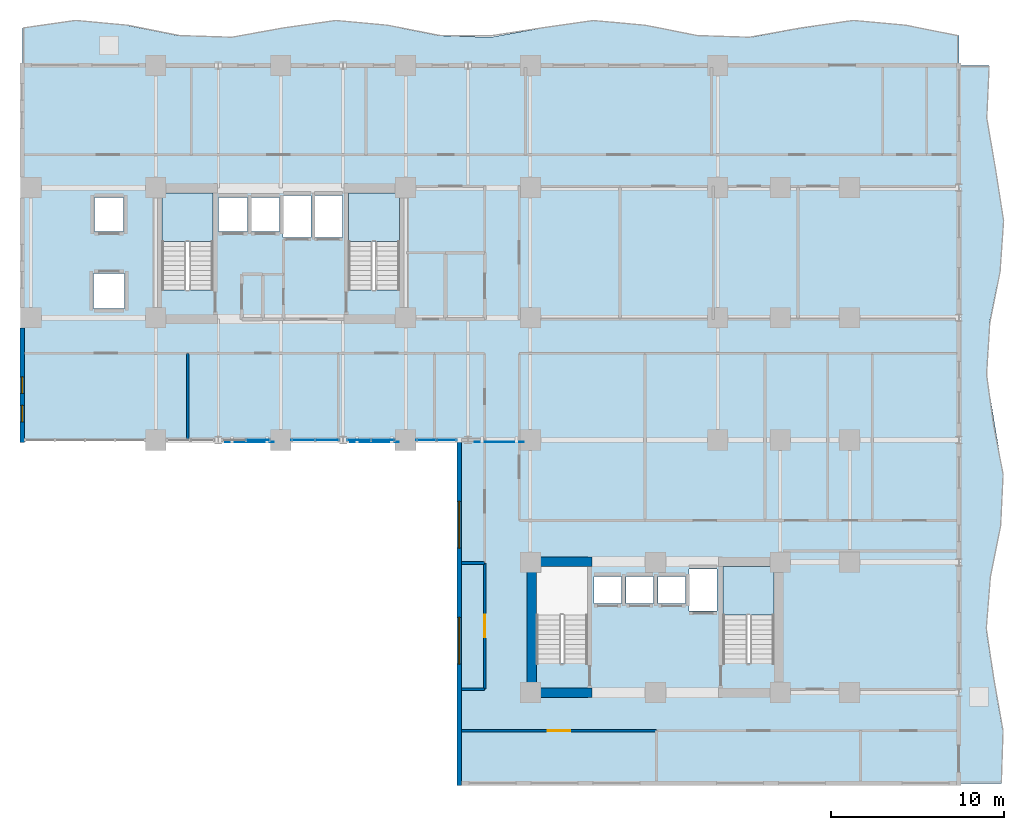
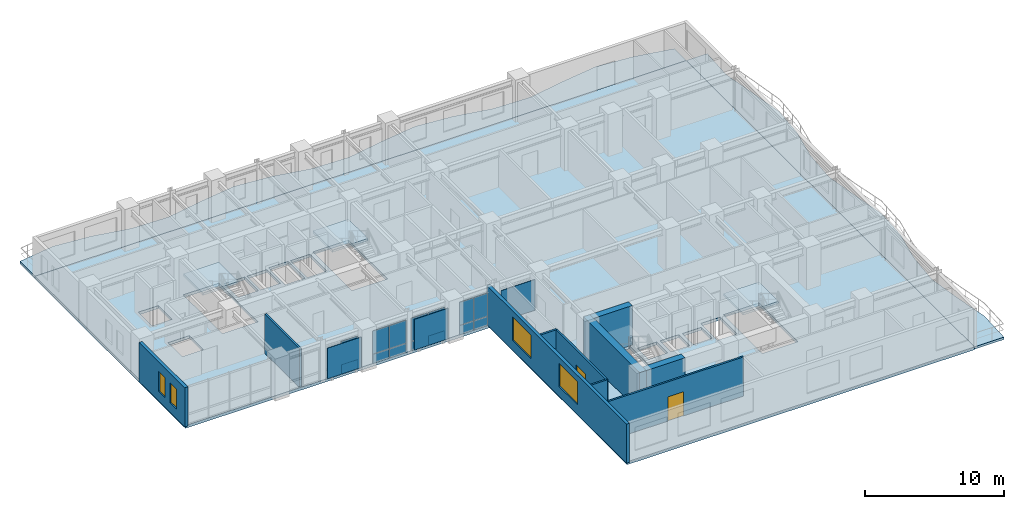
# One storey, part 7 of 16: 17 plates, 10 walls, 6 slabs, 4 windows, 2 doors, 6 openings, 7 elements without a shape of their own.
"""IFC4 building model written with IfcOpenShell, lengths in metres."""

import ifcopenshell
import ifcopenshell.guid

model = None  # the IFC model being written
_history = None  # IfcOwnerHistory: only IFC2X3 demands one
_inside = {}  # id of a spatial element -> (the spatial element, [elements in it])
_under = {}  # id of a project, library or spatial element -> (it, [spatial elements below it])
_declared = {}  # id of a project -> (the project, [libraries it declares])
_typed = {}  # id of a type object -> (the type object, [elements of that type])
_made_of = {}  # id of a material, layer set ... -> (it, [elements and type objects made of it])


def new_model(schema):
    """Start an empty IFC model of exactly this schema.

    Asked for "IFC4X3", IfcOpenShell would pick the latest addendum, in which some entities
    have other attributes; the version numbers below select the first issue.
    IFC2X3 requires an IfcOwnerHistory on every rooted entity: one is made here for all.
    """
    global model, _history
    if schema == "IFC4X3":
        model = ifcopenshell.file(schema_version=(4, 3, 0, 0))
    else:
        model = ifcopenshell.file(schema=schema)
    _inside.clear()
    _under.clear()
    _declared.clear()
    _typed.clear()
    _made_of.clear()
    _history = None
    if model.schema == "IFC2X3":
        org = make("IfcOrganization", Name="unknown")
        user = make(
            "IfcPersonAndOrganization",
            ThePerson=make("IfcPerson", FamilyName="unknown"),
            TheOrganization=org,
        )
        app = make(
            "IfcApplication",
            ApplicationDeveloper=org,
            Version="unknown",
            ApplicationFullName="unknown",
            ApplicationIdentifier="unknown",
        )
        _history = make(
            "IfcOwnerHistory",
            OwningUser=user,
            OwningApplication=app,
            ChangeAction="ADDED",
            CreationDate=0,
        )
    return model


def make(cls, **values):
    """One entity of the class cls with the attributes given. An attribute that is None is left unset."""
    return model.create_entity(
        cls, **{name: value for name, value in values.items() if value is not None}
    )


def rooted(cls, **values):
    """An entity with a GlobalId (a new one), such as an element, a storey or a relation."""
    return make(cls, GlobalId=ifcopenshell.guid.new(), OwnerHistory=_history, **values)


def si_unit(unit_type, name, prefix=None):
    """IfcSIUnit, for example si_unit("LENGTHUNIT", "METRE", prefix="MILLI")."""
    return make("IfcSIUnit", UnitType=unit_type, Prefix=prefix, Name=name)


def assignment(units):
    """IfcUnitAssignment: the units of a project."""
    return None if units is None else make("IfcUnitAssignment", Units=units)


def point(xyz):
    """IfcCartesianPoint."""
    return None if xyz is None else make("IfcCartesianPoint", Coordinates=xyz)


def direction(xyz):
    """IfcDirection."""
    return None if xyz is None else make("IfcDirection", DirectionRatios=xyz)


def frame(location, z_axis=None, x_axis=None):
    """IfcAxis2Placement3D, a coordinate frame: its origin and axes. An axis left out is left unset."""
    return make(
        "IfcAxis2Placement3D",
        Location=point(location),
        Axis=direction(z_axis),
        RefDirection=direction(x_axis),
    )


def frame_2d(location, x_axis=None):
    """IfcAxis2Placement2D, a coordinate frame in the plane: its origin and x axis."""
    return make(
        "IfcAxis2Placement2D", Location=point(location), RefDirection=direction(x_axis)
    )


def origin():
    """The frame at (0, 0, 0) with its axes left unset."""
    return frame((0.0, 0.0, 0.0))


def origin_2d():
    """The frame at (0, 0) in the plane with its x axis left unset."""
    return frame_2d((0.0, 0.0))


def place(relative_to, where):
    """IfcLocalPlacement: puts the frame where relative to a parent placement (None: the world)."""
    return make(
        "IfcLocalPlacement", PlacementRelTo=relative_to, RelativePlacement=where
    )


def context(
    kind, dimensions, precision=None, world=None, true_north=None, identifier=None
):
    """IfcGeometricRepresentationContext, for example the 3D "Model" context."""
    return make(
        "IfcGeometricRepresentationContext",
        ContextIdentifier=identifier,
        ContextType=kind,
        CoordinateSpaceDimension=dimensions,
        Precision=precision,
        WorldCoordinateSystem=world,
        TrueNorth=true_north,
    )


def subcontext(parent, identifier, kind, view, scale=None):
    """IfcGeometricRepresentationSubContext, for example "Body" below "Model"."""
    return make(
        "IfcGeometricRepresentationSubContext",
        ContextIdentifier=identifier,
        ContextType=kind,
        ParentContext=parent,
        TargetScale=scale,
        TargetView=view,
    )


def project(units=None, contexts=None):
    """IfcProject with its units and contexts."""
    return rooted(
        "IfcProject",
        Name="project",
        RepresentationContexts=contexts,
        UnitsInContext=assignment(units),
    )


def spatial(cls, under=None, at=None, **own):
    """A site, building, storey or space (cls), placed at a placement, below another one or the project."""
    s = rooted(cls, ObjectPlacement=at, **own)
    if under is not None:
        _under.setdefault(under.id(), (under, []))[1].append(s)
    return s


def polyline(points):
    """IfcPolyline through the points."""
    return make("IfcPolyline", Points=[point(p) for p in points])


def profile(cls, at=None, kind="AREA", **sizes):
    """A parametric profile (cls). Its sizes go by their IFC names, for example OverallWidth=200.0."""
    return make(cls, ProfileType=kind, Position=at, **sizes)


def rectangle(**sizes):
    """IfcRectangleProfileDef."""
    return profile("IfcRectangleProfileDef", **sizes)


def outline(outer, holes=None, kind="AREA"):
    """IfcArbitraryClosedProfileDef: a profile drawn as a closed curve; with holes, ...WithVoids."""
    if holes is None:
        return make("IfcArbitraryClosedProfileDef", ProfileType=kind, OuterCurve=outer)
    return make(
        "IfcArbitraryProfileDefWithVoids",
        ProfileType=kind,
        OuterCurve=outer,
        InnerCurves=holes,
    )


def extrude(swept, where, along, depth):
    """IfcExtrudedAreaSolid: the profile swept, set in the frame where, extruded along a direction by depth."""
    return make(
        "IfcExtrudedAreaSolid",
        SweptArea=swept,
        Position=where,
        ExtrudedDirection=direction(along),
        Depth=depth,
    )


def shape(context_of_items, identifier, shape_type, items):
    """IfcShapeRepresentation: the items that make up one representation, for example the "Body"."""
    return make(
        "IfcShapeRepresentation",
        ContextOfItems=context_of_items,
        RepresentationIdentifier=identifier,
        RepresentationType=shape_type,
        Items=items,
    )


def source(mapping_origin, context_of_items, identifier, shape_type, items):
    """IfcRepresentationMap: a shape defined once, which mapped items show again and again."""
    return make(
        "IfcRepresentationMap",
        MappingOrigin=mapping_origin,
        MappedRepresentation=shape(context_of_items, identifier, shape_type, items),
    )


def transform(
    local_origin,
    x_axis=None,
    y_axis=None,
    z_axis=None,
    scale=None,
    scale2=None,
    scale3=None,
    uniform=True,
):
    """IfcCartesianTransformationOperator3D, or its non-uniform kind. x_axis, y_axis, z_axis: its Axis1, 2, 3."""
    if uniform:
        return make(
            "IfcCartesianTransformationOperator3D",
            Axis1=direction(x_axis),
            Axis2=direction(y_axis),
            LocalOrigin=point(local_origin),
            Scale=scale,
            Axis3=direction(z_axis),
        )
    return make(
        "IfcCartesianTransformationOperator3DnonUniform",
        Axis1=direction(x_axis),
        Axis2=direction(y_axis),
        LocalOrigin=point(local_origin),
        Scale=scale,
        Axis3=direction(z_axis),
        Scale2=scale2,
        Scale3=scale3,
    )


def mapped(mapping_source, mapping_target):
    """IfcMappedItem: shows the shape of a source again, moved by a transform."""
    return make(
        "IfcMappedItem", MappingSource=mapping_source, MappingTarget=mapping_target
    )


def material(Name=None, Category=None):
    """IfcMaterial."""
    return make("IfcMaterial", Name=Name, Category=Category)


def layer(
    of_material, thickness, ventilated=None, Name=None, Category=None, Priority=None
):
    """IfcMaterialLayer: one layer of a wall or slab, of a material (None: an air gap)."""
    return make(
        "IfcMaterialLayer",
        Material=of_material,
        LayerThickness=thickness,
        IsVentilated=ventilated,
        Name=Name,
        Category=Category,
        Priority=Priority,
    )


def layer_set(layers, Name=None):
    """IfcMaterialLayerSet."""
    return make("IfcMaterialLayerSet", MaterialLayers=layers, LayerSetName=Name)


def made_of(thing, what):
    """Note that an element or type object is made of a material, layer set ...; save() writes the relation."""
    if what is not None:
        _made_of.setdefault(what.id(), (what, []))[1].append(thing)
    return thing


def type_object(cls, material=None, **own):
    """A type object (cls), such as IfcWallType, which elements share."""
    return made_of(rooted(cls, **own), material)


def element(
    cls,
    number,
    at=None,
    inside=None,
    cuts=None,
    type_object=None,
    material=None,
    context=None,
    identifier="Body",
    shape_type=None,
    held_by="IfcProductDefinitionShape",
    body=None,
    shapes=None,
    **own,
):
    """One element of the class cls, such as IfcWall. Its Tag is "e" and its number.

    at: its placement. inside: the storey or other place that contains it. cuts: it is an
    opening in that element (IfcRelVoidsElement). A single representation is given by context,
    identifier, shape_type and body (its items); several are given by shapes. held_by: the class
    of the entity that holds the representations. save() writes the other relations.
    """
    e = rooted(cls, Tag="e%d" % number, ObjectPlacement=at, **own)
    if body is not None:
        shapes = [shape(context, identifier, shape_type, body)]
    if shapes is not None:
        e.Representation = make(held_by, Representations=shapes)
    if inside is not None:
        _inside.setdefault(inside.id(), (inside, []))[1].append(e)
    if cuts is not None:
        rooted(
            "IfcRelVoidsElement", RelatingBuildingElement=cuts, RelatedOpeningElement=e
        )
    if type_object is not None:
        _typed.setdefault(type_object.id(), (type_object, []))[1].append(e)
    return made_of(e, material)


def fill(opening, filler):
    """IfcRelFillsElement: the door or window that sits in an opening."""
    return rooted(
        "IfcRelFillsElement",
        RelatingOpeningElement=opening,
        RelatedBuildingElement=filler,
    )


def aggregate(whole, parts):
    """IfcRelAggregates: a whole, such as a stair, and the parts it consists of."""
    return rooted("IfcRelAggregates", RelatingObject=whole, RelatedObjects=parts)


def save(model, path):
    """Write the relations noted so far, then the file.

    IfcRelAggregates (storeys below a building ...), IfcRelContainedInSpatialStructure (elements
    in a storey), IfcRelDefinesByType, IfcRelAssociatesMaterial and IfcRelDeclares: one each for
    every whole, place, type object, material and project.
    """
    for whole, parts in _under.values():
        aggregate(whole, parts)
    for where, things in _inside.values():
        rooted(
            "IfcRelContainedInSpatialStructure",
            RelatedElements=things,
            RelatingStructure=where,
        )
    for kind, things in _typed.values():
        rooted("IfcRelDefinesByType", RelatedObjects=things, RelatingType=kind)
    for what, things in _made_of.values():
        rooted("IfcRelAssociatesMaterial", RelatedObjects=things, RelatingMaterial=what)
    for by, libraries in _declared.values():
        rooted("IfcRelDeclares", RelatingContext=by, RelatedDefinitions=libraries)
    model.write(path)


model = new_model("IFC4")

# Units and contexts
model_context = context("Model", 3, precision=1e-05, world=origin(), true_north=direction((0.0, 1.0)))
body_context = subcontext(model_context, "Body", "Model", "MODEL_VIEW")
ifc_project = project(units=[si_unit("LENGTHUNIT", "METRE"), si_unit("AREAUNIT", "SQUARE_METRE"), si_unit("VOLUMEUNIT", "CUBIC_METRE"), si_unit("PLANEANGLEUNIT", "RADIAN"), si_unit("MASSUNIT", "GRAM", prefix="KILO")], contexts=[model_context])

# Site, building, storey
site_placement = place(None, origin())
site = spatial("IfcSite", under=ifc_project, at=site_placement, CompositionType="ELEMENT")
building_placement = place(site_placement, origin())
building = spatial("IfcBuilding", under=site, at=building_placement, Name="Kaliganga Portal Commons", CompositionType="ELEMENT")
storey_placement = place(building_placement, frame((0.0, 0.0, 82.300048828125)))
storey = spatial("IfcBuildingStorey", under=building, at=storey_placement, Name="L20", CompositionType="ELEMENT", Elevation=82.300048828125)

# Slabs
ifc_material_1 = material(Name="Concrete C40/50", Category="concrete")
ifc_layer_1 = layer(ifc_material_1, 0.2099609375)
ifc_layer_set_1 = layer_set([ifc_layer_1], Name="Concrete C40/50")
slab_type_1 = type_object("IfcSlabType", Name="SLB-BALC-210", PredefinedType="FLOOR", material=ifc_layer_set_1)
slab_1_placement = place(storey_placement, frame((0.0, 0.0, -0.2099609375)))
element("IfcSlab", 1, at=slab_1_placement, inside=storey, type_object=slab_type_1, Name="Scalloped Tree-Planter Balcony Slab L20 balc_north", PredefinedType="FLOOR", context=body_context, shape_type="SweptSolid", body=[
    extrude(outline(polyline([(60.699951171875, 43.199951171875), (60.699951171875, 44.916259765625), (57.699951171875, 45.517333984375), (54.699951171875, 45.793701171875), (51.699951171875, 45.36328125), (48.699951171875, 44.821044921875), (45.699951171875, 44.916259765625), (42.699951171875, 45.517333984375), (39.699951171875, 45.793701171875), (36.699951171875, 45.36328125), (33.699951171875, 44.821044921875), (30.699951171875, 44.916259765625), (27.699951171875, 45.517333984375), (24.699951171875, 45.793701171875), (21.699951171875, 45.36328125), (18.699951171875, 44.821044921875), (15.699951171875, 44.916259765625), (12.699951171875, 45.517333984375), (9.699951171875, 45.793701171875), (6.699951171875, 45.36328125), (6.699951171875, 43.199951171875), (60.699951171875, 43.199951171875)])), origin(), (0.0, 0.0, 1.0), 0.2099609375),
])
slab_2_placement = place(storey_placement, frame((0.0, 0.0, -0.2099609375)))
element("IfcSlab", 2, at=slab_2_placement, inside=storey, type_object=slab_type_1, Name="Scalloped Tree-Planter Balcony Slab L20 balc_east", PredefinedType="FLOOR", context=body_context, shape_type="SweptSolid", body=[
    extrude(outline(polyline([(60.699951171875, 1.800048828125), (63.1484375, 1.800048828125), (63.247802734375, 4.757080078125), (62.7197265625, 7.71435546875), (62.276123046875, 10.67138671875), (62.514892578125, 13.628662109375), (63.114013671875, 16.585693359375), (63.26611328125, 19.54296875), (62.76611328125, 22.5), (62.287841796875, 25.45703125), (62.476318359375, 28.414306640625), (63.0771484375, 31.371337890625), (63.28076171875, 34.32861328125), (62.8125, 37.28564453125), (62.3037109375, 40.242919921875), (62.43994140625, 43.199951171875), (60.699951171875, 43.199951171875), (60.699951171875, 1.800048828125)])), origin(), (0.0, 0.0, 1.0), 0.2099609375),
])

# Stair, slab
stair_type = type_object("IfcStairType", Name="ST-CORE-DOGLEG", PredefinedType="HALF_TURN_STAIR", material=ifc_material_1)
stair_1_placement = place(storey_placement, origin())
stair_1 = element("IfcStair", 3, at=stair_1_placement, inside=storey, type_object=stair_type, Name="L20 Protected Exit Stair ST-A1", PredefinedType="HALF_TURN_STAIR")
ifc_layer_2 = layer(ifc_material_1, 0.199951171875)
ifc_layer_set_2 = layer_set([ifc_layer_2], Name="Concrete C40/50")
slab_type_2 = type_object("IfcSlabType", Name="SLB-STAIR-LND", PredefinedType="LANDING", material=ifc_layer_set_2)
slab_3_placement = place(storey_placement, frame((0.0, 0.0, 1.64990234375)))
slab_3 = element("IfcSlab", 4, at=slab_3_placement, type_object=slab_type_2, Name="ST-A1 landing 1", PredefinedType="LANDING", context=body_context, shape_type="SweptSolid", body=[
    extrude(outline(polyline([(17.699951171875, 33.050048828125), (17.699951171875, 35.85009765625), (14.75, 35.85009765625), (14.75, 33.050048828125), (17.699951171875, 33.050048828125)])), origin(), (0.0, 0.0, 1.0), 0.199951171875),
])
aggregate(stair_1, [slab_3])

stair_2_placement = place(storey_placement, origin())
stair_2 = element("IfcStair", 5, at=stair_2_placement, inside=storey, type_object=stair_type, Name="L20 Protected Exit Stair ST-A2", PredefinedType="HALF_TURN_STAIR")
slab_4_placement = place(storey_placement, frame((0.0, 0.0, 1.64990234375)))
slab_4 = element("IfcSlab", 6, at=slab_4_placement, type_object=slab_type_2, Name="ST-A2 landing 1", PredefinedType="LANDING", context=body_context, shape_type="SweptSolid", body=[
    extrude(outline(polyline([(28.449951171875, 33.050048828125), (28.449951171875, 35.85009765625), (25.5, 35.85009765625), (25.5, 33.050048828125), (28.449951171875, 33.050048828125)])), origin(), (0.0, 0.0, 1.0), 0.199951171875),
])
aggregate(stair_2, [slab_4])

stair_3_placement = place(storey_placement, origin())
stair_3 = element("IfcStair", 7, at=stair_3_placement, inside=storey, type_object=stair_type, Name="L20 Protected Exit Stair ST-B2", PredefinedType="HALF_TURN_STAIR")
slab_5_placement = place(storey_placement, frame((0.0, 0.0, 1.64990234375)))
slab_5 = element("IfcSlab", 8, at=slab_5_placement, type_object=slab_type_2, Name="ST-B2 landing 1", PredefinedType="LANDING", context=body_context, shape_type="SweptSolid", body=[
    extrude(outline(polyline([(50.050048828125, 11.5), (50.050048828125, 14.300048828125), (47.10009765625, 14.300048828125), (47.10009765625, 11.5), (50.050048828125, 11.5)])), origin(), (0.0, 0.0, 1.0), 0.199951171875),
])
aggregate(stair_3, [slab_5])

# Slab
ifc_layer_3 = layer(ifc_material_1, 0.25)
ifc_layer_set_3 = layer_set([ifc_layer_3], Name="Concrete C40/50")
slab_type_3 = type_object("IfcSlabType", Name="SLB-TWR-250", PredefinedType="FLOOR", material=ifc_layer_set_3)
slab_6_placement = place(storey_placement, frame((0.0, 0.0, -0.25)))
element("IfcSlab", 9, at=slab_6_placement, inside=storey, type_object=slab_type_3, Name="Structural Floor Slab L20", PredefinedType="FLOOR", context=body_context, shape_type="SweptSolid", body=[
    extrude(outline(polyline([(31.89990234375, 1.800048828125), (60.699951171875, 1.800048828125), (60.699951171875, 43.199951171875), (6.699951171875, 43.199951171875), (6.699951171875, 21.60009765625), (31.89990234375, 21.60009765625), (31.89990234375, 1.800048828125)]), holes=[polyline([(14.75, 30.25390625), (14.75, 35.85009765625), (17.699951171875, 35.85009765625), (17.699951171875, 30.25390625), (14.75, 30.25390625)]), polyline([(25.5, 30.25390625), (25.5, 35.85009765625), (28.449951171875, 35.85009765625), (28.449951171875, 30.25390625), (25.5, 30.25390625)]), polyline([(36.35009765625, 8.7041015625), (36.35009765625, 14.300048828125), (39.300048828125, 14.300048828125), (39.300048828125, 8.7041015625), (36.35009765625, 8.7041015625)]), polyline([(47.10009765625, 8.7041015625), (47.10009765625, 14.300048828125), (50.050048828125, 14.300048828125), (50.050048828125, 8.7041015625), (47.10009765625, 8.7041015625)]), polyline([(18.014892578125, 33.614990234375), (18.014892578125, 35.5849609375), (19.68505859375, 35.5849609375), (19.68505859375, 33.614990234375), (18.014892578125, 33.614990234375)]), polyline([(19.864990234375, 33.614990234375), (19.864990234375, 35.5849609375), (21.534912109375, 35.5849609375), (21.534912109375, 33.614990234375), (19.864990234375, 33.614990234375)]), polyline([(10.81494140625, 29.18994140625), (10.81494140625, 31.2099609375), (12.5849609375, 31.2099609375), (12.5849609375, 29.18994140625), (10.81494140625, 29.18994140625)]), polyline([(10.864990234375, 33.614990234375), (10.864990234375, 35.5849609375), (12.534912109375, 35.5849609375), (12.534912109375, 33.614990234375), (10.864990234375, 33.614990234375)]), polyline([(21.739990234375, 33.2900390625), (21.739990234375, 35.7099609375), (23.360107421875, 35.7099609375), (23.360107421875, 33.2900390625), (21.739990234375, 33.2900390625)]), polyline([(23.5400390625, 33.2900390625), (23.5400390625, 35.7099609375), (25.159912109375, 35.7099609375), (25.159912109375, 33.2900390625), (23.5400390625, 33.2900390625)]), polyline([(39.6650390625, 12.1650390625), (39.6650390625, 13.735107421875), (41.235107421875, 13.735107421875), (41.235107421875, 12.1650390625), (39.6650390625, 12.1650390625)]), polyline([(41.514892578125, 12.1650390625), (41.514892578125, 13.735107421875), (43.0849609375, 13.735107421875), (43.0849609375, 12.1650390625), (41.514892578125, 12.1650390625)]), polyline([(43.364990234375, 12.1650390625), (43.364990234375, 13.735107421875), (44.93505859375, 13.735107421875), (44.93505859375, 12.1650390625), (43.364990234375, 12.1650390625)]), polyline([(45.139892578125, 11.739990234375), (45.139892578125, 14.159912109375), (46.760009765625, 14.159912109375), (46.760009765625, 11.739990234375), (45.139892578125, 11.739990234375)])]), origin(), (0.0, 0.0, 1.0), 0.25),
])

# Curtain wall, plate
ifc_material_2 = material(Name="Anodized Aluminium and Laminated Low-E Glass", Category="aluminium")
ifc_layer_4 = layer(ifc_material_2, 0.2099609375)
ifc_layer_set_4 = layer_set([ifc_layer_4], Name="Anodized Aluminium and Laminated Low-E Glass")
curtain_wall_type = type_object("IfcCurtainWallType", Name="CW-SYS-03", PredefinedType="NOTDEFINED", material=ifc_layer_set_4)
curtain_wall_1_placement = place(storey_placement, origin())
curtain_wall_1 = element("IfcCurtainWall", 10, at=curtain_wall_1_placement, inside=storey, type_object=curtain_wall_type, Name="CW 03 L20 P1E04S3", PredefinedType="NOTDEFINED")
ifc_material_3 = material(Name="Insulated Dark Spandrel Panel", Category="metal")
ifc_layer_5 = layer(ifc_material_3, 0.044921875)
ifc_layer_set_5 = layer_set([ifc_layer_5], Name="Insulated Dark Spandrel Panel")
plate_type_1 = type_object("IfcPlateType", Name="PLT-SPN-45", PredefinedType="SHEET", material=ifc_layer_set_5)
shared_shape_1 = source(origin(), body_context, "Body", "SweptSolid", [
    extrude(rectangle(XDim=1.356689453125, YDim=0.044921875, at=origin_2d()), origin(), (0.0, 0.0, 1.0), 0.805908203125),
])
plate_1_placement = place(storey_placement, frame((20.300537109375, 21.60009765625, 0.009765625), z_axis=(0.0, 0.0, 1.0), x_axis=(1.0, 0.0, 0.0)))
plate_1 = element("IfcPlate", 11, at=plate_1_placement, type_object=plate_type_1, Name="CW:03:L20:P1E04S3 Spandrel 01", PredefinedType="SHEET", context=body_context, shape_type="MappedRepresentation", body=[
    mapped(shared_shape_1, transform((0.0, 0.0, 0.0), x_axis=(1.0, 0.0, 0.0), y_axis=(0.0, 1.0, 0.0), z_axis=(0.0, 0.0, 1.0), scale=1.0)),
])

# Curtain wall, plates
curtain_wall_2_placement = place(storey_placement, origin())
curtain_wall_2 = element("IfcCurtainWall", 12, at=curtain_wall_2_placement, inside=storey, type_object=curtain_wall_type, Name="CW 03 L20 P1E04S4", PredefinedType="NOTDEFINED")
plate_2_placement = place(storey_placement, frame((22.8994140625, 21.60009765625, 0.009765625), z_axis=(0.0, 0.0, 1.0), x_axis=(1.0, 0.0, 0.0)))
plate_2 = element("IfcPlate", 13, at=plate_2_placement, type_object=plate_type_1, Name="CW:03:L20:P1E04S4 Spandrel 00", PredefinedType="SHEET", context=body_context, shape_type="MappedRepresentation", body=[
    mapped(shared_shape_1, transform((0.0, 0.0, 0.0), x_axis=(1.0, 0.0, 0.0), y_axis=(0.0, 1.0, 0.0), z_axis=(0.0, 0.0, 1.0), scale=1.0)),
])
plate_3_placement = place(storey_placement, frame((24.296142578125, 21.60009765625, 0.009765625), z_axis=(0.0, 0.0, 1.0), x_axis=(1.0, 0.0, 0.0)))
plate_3 = element("IfcPlate", 14, at=plate_3_placement, type_object=plate_type_1, Name="CW:03:L20:P1E04S4 Spandrel 01", PredefinedType="SHEET", context=body_context, shape_type="MappedRepresentation", body=[
    mapped(shared_shape_1, transform((0.0, 0.0, 0.0), x_axis=(1.0, 0.0, 0.0), y_axis=(0.0, 1.0, 0.0), z_axis=(0.0, 0.0, 1.0), scale=1.0)),
])

curtain_wall_3_placement = place(storey_placement, origin())
curtain_wall_3 = element("IfcCurtainWall", 15, at=curtain_wall_3_placement, inside=storey, type_object=curtain_wall_type, Name="CW 03 L20 P1E04S5", PredefinedType="NOTDEFINED")
plate_4_placement = place(storey_placement, frame((26.10400390625, 21.60009765625, 0.009765625), z_axis=(0.0, 0.0, 1.0), x_axis=(1.0, 0.0, 0.0)))
plate_4 = element("IfcPlate", 16, at=plate_4_placement, type_object=plate_type_1, Name="CW:03:L20:P1E04S5 Spandrel 00", PredefinedType="SHEET", context=body_context, shape_type="MappedRepresentation", body=[
    mapped(shared_shape_1, transform((0.0, 0.0, 0.0), x_axis=(1.0, 0.0, 0.0), y_axis=(0.0, 1.0, 0.0), z_axis=(0.0, 0.0, 1.0), scale=1.0)),
])
plate_5_placement = place(storey_placement, frame((27.50048828125, 21.60009765625, 0.009765625), z_axis=(0.0, 0.0, 1.0), x_axis=(1.0, 0.0, 0.0)))
plate_5 = element("IfcPlate", 17, at=plate_5_placement, type_object=plate_type_1, Name="CW:03:L20:P1E04S5 Spandrel 01", PredefinedType="SHEET", context=body_context, shape_type="MappedRepresentation", body=[
    mapped(shared_shape_1, transform((0.0, 0.0, 0.0), x_axis=(1.0, 0.0, 0.0), y_axis=(0.0, 1.0, 0.0), z_axis=(0.0, 0.0, 1.0), scale=1.0)),
])

# Plate
ifc_material_4 = material(Name="Dark Solar-Control Laminated Low-E IGU", Category="glass")
ifc_layer_6 = layer(ifc_material_4, 0.028076171875)
ifc_layer_set_6 = layer_set([ifc_layer_6], Name="Dark Solar-Control Laminated Low-E IGU")
plate_type_2 = type_object("IfcPlateType", Name="PLT-GLZ-28", PredefinedType="CURTAIN_PANEL", material=ifc_layer_set_6)
shared_shape_2 = source(origin(), body_context, "Body", "SweptSolid", [
    extrude(rectangle(XDim=1.356689453125, YDim=0.028076171875, at=origin_2d()), origin(), (0.0, 0.0, 1.0), 2.02392578125),
])
plate_6_placement = place(storey_placement, frame((20.300537109375, 21.60009765625, 0.8359375), z_axis=(0.0, 0.0, 1.0), x_axis=(1.0, 0.0, 0.0)))
plate_6 = element("IfcPlate", 18, at=plate_6_placement, type_object=plate_type_2, Name="CW:03:L20:P1E04S3 Vision IGU 01", PredefinedType="CURTAIN_PANEL", context=body_context, shape_type="MappedRepresentation", body=[
    mapped(shared_shape_2, transform((0.0, 0.0, 0.0), x_axis=(1.0, 0.0, 0.0), y_axis=(0.0, 1.0, 0.0), z_axis=(0.0, 0.0, 1.0), scale=1.0)),
])

aggregate(curtain_wall_1, [plate_1, plate_6])

plate_7_placement = place(storey_placement, frame((22.8994140625, 21.60009765625, 0.8359375), z_axis=(0.0, 0.0, 1.0), x_axis=(1.0, 0.0, 0.0)))
plate_7 = element("IfcPlate", 19, at=plate_7_placement, type_object=plate_type_2, Name="CW:03:L20:P1E04S4 Vision IGU 00", PredefinedType="CURTAIN_PANEL", context=body_context, shape_type="MappedRepresentation", body=[
    mapped(shared_shape_2, transform((0.0, 0.0, 0.0), x_axis=(1.0, 0.0, 0.0), y_axis=(0.0, 1.0, 0.0), z_axis=(0.0, 0.0, 1.0), scale=1.0)),
])

plate_8_placement = place(storey_placement, frame((24.296142578125, 21.60009765625, 0.8359375), z_axis=(0.0, 0.0, 1.0), x_axis=(1.0, 0.0, 0.0)))
plate_8 = element("IfcPlate", 20, at=plate_8_placement, type_object=plate_type_2, Name="CW:03:L20:P1E04S4 Vision IGU 01", PredefinedType="CURTAIN_PANEL", context=body_context, shape_type="MappedRepresentation", body=[
    mapped(shared_shape_2, transform((0.0, 0.0, 0.0), x_axis=(1.0, 0.0, 0.0), y_axis=(0.0, 1.0, 0.0), z_axis=(0.0, 0.0, 1.0), scale=1.0)),
])

aggregate(curtain_wall_2, [plate_2, plate_7, plate_3, plate_8])

plate_9_placement = place(storey_placement, frame((26.10400390625, 21.60009765625, 0.8359375), z_axis=(0.0, 0.0, 1.0), x_axis=(1.0, 0.0, 0.0)))
plate_9 = element("IfcPlate", 21, at=plate_9_placement, type_object=plate_type_2, Name="CW:03:L20:P1E04S5 Vision IGU 00", PredefinedType="CURTAIN_PANEL", context=body_context, shape_type="MappedRepresentation", body=[
    mapped(shared_shape_2, transform((0.0, 0.0, 0.0), x_axis=(1.0, 0.0, 0.0), y_axis=(0.0, 1.0, 0.0), z_axis=(0.0, 0.0, 1.0), scale=1.0)),
])

plate_10_placement = place(storey_placement, frame((27.50048828125, 21.60009765625, 0.8359375), z_axis=(0.0, 0.0, 1.0), x_axis=(1.0, 0.0, 0.0)))
plate_10 = element("IfcPlate", 22, at=plate_10_placement, type_object=plate_type_2, Name="CW:03:L20:P1E04S5 Vision IGU 01", PredefinedType="CURTAIN_PANEL", context=body_context, shape_type="MappedRepresentation", body=[
    mapped(shared_shape_2, transform((0.0, 0.0, 0.0), x_axis=(1.0, 0.0, 0.0), y_axis=(0.0, 1.0, 0.0), z_axis=(0.0, 0.0, 1.0), scale=1.0)),
])

aggregate(curtain_wall_3, [plate_4, plate_9, plate_5, plate_10])

# Curtain wall, plates
curtain_wall_4_placement = place(storey_placement, origin())
curtain_wall_4 = element("IfcCurtainWall", 23, at=curtain_wall_4_placement, inside=storey, type_object=curtain_wall_type, Name="CW 03 L20 P1E04S6", PredefinedType="NOTDEFINED")
shared_shape_3 = source(origin(), body_context, "Body", "SweptSolid", [
    extrude(rectangle(XDim=1.139404296875, YDim=0.044921875, at=origin_2d()), origin(), (0.0, 0.0, 1.0), 0.805908203125),
])
plate_11_placement = place(storey_placement, frame((29.99072265625, 21.60009765625, 0.009765625), z_axis=(0.0, 0.0, 1.0), x_axis=(1.0, 0.0, 0.0)))
plate_11 = element("IfcPlate", 24, at=plate_11_placement, type_object=plate_type_1, Name="CW:03:L20:P1E04S6 Spandrel 00", PredefinedType="SHEET", context=body_context, shape_type="MappedRepresentation", body=[
    mapped(shared_shape_3, transform((0.0, 0.0, 0.0), x_axis=(1.0, 0.0, 0.0), y_axis=(0.0, 1.0, 0.0), z_axis=(0.0, 0.0, 1.0), scale=1.0)),
])
plate_12_placement = place(storey_placement, frame((31.17041015625, 21.60009765625, 0.009765625), z_axis=(0.0, 0.0, 1.0), x_axis=(1.0, 0.0, 0.0)))
plate_12 = element("IfcPlate", 25, at=plate_12_placement, type_object=plate_type_1, Name="CW:03:L20:P1E04S6 Spandrel 01", PredefinedType="SHEET", context=body_context, shape_type="MappedRepresentation", body=[
    mapped(shared_shape_3, transform((0.0, 0.0, 0.0), x_axis=(1.0, 0.0, 0.0), y_axis=(0.0, 1.0, 0.0), z_axis=(0.0, 0.0, 1.0), scale=1.0)),
])
shared_shape_4 = source(origin(), body_context, "Body", "SweptSolid", [
    extrude(rectangle(XDim=1.139404296875, YDim=0.028076171875, at=origin_2d()), origin(), (0.0, 0.0, 1.0), 2.02392578125),
])
plate_13_placement = place(storey_placement, frame((29.99072265625, 21.60009765625, 0.8359375), z_axis=(0.0, 0.0, 1.0), x_axis=(1.0, 0.0, 0.0)))
plate_13 = element("IfcPlate", 26, at=plate_13_placement, type_object=plate_type_2, Name="CW:03:L20:P1E04S6 Vision IGU 00", PredefinedType="CURTAIN_PANEL", context=body_context, shape_type="MappedRepresentation", body=[
    mapped(shared_shape_4, transform((0.0, 0.0, 0.0), x_axis=(1.0, 0.0, 0.0), y_axis=(0.0, 1.0, 0.0), z_axis=(0.0, 0.0, 1.0), scale=1.0)),
])
plate_14_placement = place(storey_placement, frame((31.17041015625, 21.60009765625, 0.8359375), z_axis=(0.0, 0.0, 1.0), x_axis=(1.0, 0.0, 0.0)))
plate_14 = element("IfcPlate", 27, at=plate_14_placement, type_object=plate_type_2, Name="CW:03:L20:P1E04S6 Vision IGU 01", PredefinedType="CURTAIN_PANEL", context=body_context, shape_type="MappedRepresentation", body=[
    mapped(shared_shape_4, transform((0.0, 0.0, 0.0), x_axis=(1.0, 0.0, 0.0), y_axis=(0.0, 1.0, 0.0), z_axis=(0.0, 0.0, 1.0), scale=1.0)),
])
aggregate(curtain_wall_4, [plate_11, plate_13, plate_12, plate_14])

# Plates
ifc_material_5 = material(Name="Perforated Terracotta Monsoon Baguette Screen", Category="masonry")
ifc_layer_7 = layer(ifc_material_5, 0.034912109375)
ifc_layer_set_7 = layer_set([ifc_layer_7], Name="Perforated Terracotta Monsoon Baguette Screen")
plate_type_3 = type_object("IfcPlateType", Name="PLT-CER-35", PredefinedType="USERDEFINED", material=ifc_layer_set_7)
shared_shape_5 = source(origin(), body_context, "Body", "SweptSolid", [
    extrude(rectangle(XDim=2.800048828125, YDim=0.034912109375, at=origin_2d()), origin(), (0.0, 0.0, 1.0), 2.68994140625),
])
for number, where, z_axis, x_axis, name in (
    (28, (19.800048828125, 21.47998046875, 0.080078125), (0.0, 0.0, 1.0), (1.0, 0.0, 0.0), "Perforated Solar Screen L20-S1"),
    (29, (27.0, 21.47998046875, 0.080078125), (0.0, 0.0, 1.0), (1.0, 0.0, 0.0), "Perforated Solar Screen L20-S2"),
    (30, (34.199951171875, 21.47998046875, 0.080078125), (0.0, 0.0, 1.0), (1.0, 0.0, 0.0), "Perforated Solar Screen L20-S3"),
):
    element("IfcPlate", number, at=place(storey_placement, frame(where, z_axis=z_axis, x_axis=x_axis)), inside=storey, type_object=plate_type_3, Name=name, ObjectType="SOLAR SCREEN", PredefinedType="USERDEFINED", context=body_context, shape_type="MappedRepresentation", body=[
        mapped(shared_shape_5, transform((0.0, 0.0, 0.0), x_axis=(1.0, 0.0, 0.0), y_axis=(0.0, 1.0, 0.0), z_axis=(0.0, 0.0, 1.0), scale=1.0)),
    ])

# Walls
ifc_material_6 = material(Name="Concrete C60/75", Category="concrete")
ifc_layer_8 = layer(ifc_material_6, 0.550048828125)
ifc_layer_set_8 = layer_set([ifc_layer_8], Name="Concrete C60/75")
wall_type_1 = type_object("IfcWallType", Name="WL-CORE-550", PredefinedType="SHEAR", material=ifc_layer_set_8)
wall_1_placement = place(storey_placement, frame((36.074951171875, 6.75, 0.0), z_axis=(0.0, 0.0, 1.0), x_axis=(0.0, 1.0, 0.0)))
element("IfcWall", 31, at=wall_1_placement, inside=storey, type_object=wall_type_1, Name="Core B West Shear Wall L20", PredefinedType="SHEAR", context=body_context, shape_type="SweptSolid", body=[
    extrude(rectangle(XDim=8.10009765625, YDim=0.550048828125, at=frame_2d((4.050048828125, 0.0))), origin(), (0.0, 0.0, 1.0), 3.449951171875),
])
for number, where, z_axis, x_axis, name in (
    (32, (36.35009765625, 7.02490234375, 0.0), (0.0, 0.0, 1.0), (1.0, 0.0, 0.0), "Core B S-West Shear Wall L20"),
    (33, (36.35009765625, 14.574951171875, 0.0), (0.0, 0.0, 1.0), (1.0, 0.0, 0.0), "Core B N-West Shear Wall L20"),
):
    element("IfcWall", number, at=place(storey_placement, frame(where, z_axis=z_axis, x_axis=x_axis)), inside=storey, type_object=wall_type_1, Name=name, PredefinedType="SHEAR", context=body_context, shape_type="SweptSolid", body=[
        extrude(rectangle(XDim=3.199951171875, YDim=0.550048828125, at=frame_2d((1.60009765625, 0.0))), origin(), (0.0, 0.0, 1.0), 3.449951171875),
    ])

# Wall, openings, windows
ifc_material_7 = material(Name="Insulated Aluminium-Clad Spandrel Assembly", Category="aluminium")
ifc_layer_9 = layer(ifc_material_7, 0.260009765625)
ifc_layer_set_9 = layer_set([ifc_layer_9], Name="Insulated Aluminium-Clad Spandrel Assembly")
wall_type_2 = type_object("IfcWallType", Name="WL-EXT-SPAND-260", PredefinedType="STANDARD", material=ifc_layer_set_9)
wall_2_placement = place(storey_placement, frame((6.699951171875, 21.469970703125, 0.0), z_axis=(0.0, 0.0, 1.0), x_axis=(0.0, 1.0, 0.0)))
wall_2 = element("IfcWall", 34, at=wall_2_placement, inside=storey, type_object=wall_type_2, Name="Exterior Envelope Wall L20 P1-E03-S3", PredefinedType="STANDARD", context=body_context, shape_type="SweptSolid", body=[
    extrude(rectangle(XDim=6.5791015625, YDim=0.260009765625, at=frame_2d((3.28955078125, 0.0))), origin(), (0.0, 0.0, 1.0), 3.429931640625),
])
opening_1_placement = place(wall_2_placement, frame((2.814453125, 0.0, 0.85009765625)))
opening_1 = element("IfcOpeningElement", 35, at=opening_1_placement, cuts=wall_2, Name="Opening W-04", PredefinedType="OPENING", context=body_context, shape_type="SweptSolid", body=[
    extrude(rectangle(XDim=0.949951171875, YDim=1.75, at=frame_2d((0.47509765625, 0.875))), frame((0.0, 0.14013671875, 0.0), z_axis=(0.0, -1.0, 0.0), x_axis=(1.0, 0.0, 0.0)), (0.0, 0.0, 1.0), 0.280029296875),
])
opening_2_placement = place(wall_2_placement, frame((1.182861328125, 0.0, 0.85009765625)))
opening_2 = element("IfcOpeningElement", 36, at=opening_2_placement, cuts=wall_2, Name="Opening W-04", PredefinedType="OPENING", context=body_context, shape_type="SweptSolid", body=[
    extrude(rectangle(XDim=0.949951171875, YDim=1.75, at=frame_2d((0.47509765625, 0.875))), frame((0.0, 0.14013671875, 0.0), z_axis=(0.0, -1.0, 0.0), x_axis=(1.0, 0.0, 0.0)), (0.0, 0.0, 1.0), 0.280029296875),
])
ifc_material_8 = material(Name="Thermally Broken Aluminium and Low-E Double Glazing", Category="aluminium")
window_type_1 = type_object("IfcWindowType", Name="WIN-NARROW-950", PartitioningType="SINGLE_PANEL", PredefinedType="WINDOW", material=ifc_material_8)
window_1_placement = place(opening_1_placement, origin())
window_1 = element("IfcWindow", 37, at=window_1_placement, inside=storey, type_object=window_type_1, Name="Facade Window L20-P1E03S3-N0", OverallHeight=1.75, OverallWidth=0.949951171875, PartitioningType="SINGLE_PANEL", PredefinedType="WINDOW", context=body_context, shape_type="SweptSolid", body=[
    extrude(rectangle(XDim=0.949951171875, YDim=1.75, at=frame_2d((0.47509765625, 0.875))), frame((0.0, 0.030029296875, 0.0), z_axis=(0.0, -1.0, 0.0), x_axis=(1.0, 0.0, 0.0)), (0.0, 0.0, 1.0), 0.06005859375),
])
fill(opening_1, window_1)
window_2_placement = place(opening_2_placement, origin())
window_2 = element("IfcWindow", 38, at=window_2_placement, inside=storey, type_object=window_type_1, Name="Facade Window L20-P1E03S3-N1", OverallHeight=1.75, OverallWidth=0.949951171875, PartitioningType="SINGLE_PANEL", PredefinedType="WINDOW", context=body_context, shape_type="SweptSolid", body=[
    extrude(rectangle(XDim=0.949951171875, YDim=1.75, at=frame_2d((0.47509765625, 0.875))), frame((0.0, 0.030029296875, 0.0), z_axis=(0.0, -1.0, 0.0), x_axis=(1.0, 0.0, 0.0)), (0.0, 0.0, 1.0), 0.06005859375),
])
fill(opening_2, window_2)

wall_3_placement = place(storey_placement, frame((31.89990234375, 1.669921875, 0.0), z_axis=(0.0, 0.0, 1.0), x_axis=(0.0, 1.0, 0.0)))
wall_3 = element("IfcWall", 39, at=wall_3_placement, inside=storey, type_object=wall_type_2, Name="Exterior Envelope Wall L20 P1-E05-S1", PredefinedType="STANDARD", context=body_context, shape_type="SweptSolid", body=[
    extrude(rectangle(XDim=20.06005859375, YDim=0.260009765625, at=frame_2d((10.030029296875, 0.0))), origin(), (0.0, 0.0, 1.0), 3.429931640625),
])
opening_3_placement = place(wall_3_placement, frame((7.00830078125, 0.0, 0.85009765625)))
opening_3 = element("IfcOpeningElement", 40, at=opening_3_placement, cuts=wall_3, Name="Opening W-07", PredefinedType="OPENING", context=body_context, shape_type="SweptSolid", body=[
    extrude(rectangle(XDim=2.699951171875, YDim=2.050048828125, at=frame_2d((1.35009765625, 1.02490234375))), frame((0.0, 0.14013671875, 0.0), z_axis=(0.0, -1.0, 0.0), x_axis=(1.0, 0.0, 0.0)), (0.0, 0.0, 1.0), 0.280029296875),
])
opening_4_placement = place(wall_3_placement, frame((13.695068359375, 0.0, 0.85009765625)))
opening_4 = element("IfcOpeningElement", 41, at=opening_4_placement, cuts=wall_3, Name="Opening W-07", PredefinedType="OPENING", context=body_context, shape_type="SweptSolid", body=[
    extrude(rectangle(XDim=2.699951171875, YDim=2.050048828125, at=frame_2d((1.35009765625, 1.02490234375))), frame((0.0, 0.14013671875, 0.0), z_axis=(0.0, -1.0, 0.0), x_axis=(1.0, 0.0, 0.0)), (0.0, 0.0, 1.0), 0.280029296875),
])
window_type_2 = type_object("IfcWindowType", Name="WIN-LOUNGE-2700", PartitioningType="TRIPLE_PANEL_VERTICAL", PredefinedType="WINDOW", material=ifc_material_8)
window_3_placement = place(opening_3_placement, origin())
window_3 = element("IfcWindow", 42, at=window_3_placement, inside=storey, type_object=window_type_2, Name="Facade Window L20-P1E05S1-02", OverallHeight=2.050048828125, OverallWidth=2.699951171875, PartitioningType="SINGLE_PANEL", PredefinedType="WINDOW", context=body_context, shape_type="SweptSolid", body=[
    extrude(rectangle(XDim=2.699951171875, YDim=2.050048828125, at=frame_2d((1.35009765625, 1.02490234375))), frame((0.0, 0.030029296875, 0.0), z_axis=(0.0, -1.0, 0.0), x_axis=(1.0, 0.0, 0.0)), (0.0, 0.0, 1.0), 0.06005859375),
])
fill(opening_3, window_3)
window_4_placement = place(opening_4_placement, origin())
window_4 = element("IfcWindow", 43, at=window_4_placement, inside=storey, type_object=window_type_2, Name="Facade Window L20-P1E05S1-04", OverallHeight=2.050048828125, OverallWidth=2.699951171875, PartitioningType="SINGLE_PANEL", PredefinedType="WINDOW", context=body_context, shape_type="SweptSolid", body=[
    extrude(rectangle(XDim=2.699951171875, YDim=2.050048828125, at=frame_2d((1.35009765625, 1.02490234375))), frame((0.0, 0.030029296875, 0.0), z_axis=(0.0, -1.0, 0.0), x_axis=(1.0, 0.0, 0.0)), (0.0, 0.0, 1.0), 0.06005859375),
])
fill(opening_4, window_4)

# Wall, opening, door
ifc_material_9 = material(Name="Fire-Rated Gypsum Board on Steel Stud", Category="steel")
ifc_layer_10 = layer(ifc_material_9, 0.14990234375)
ifc_layer_set_10 = layer_set([ifc_layer_10], Name="Fire-Rated Gypsum Board on Steel Stud")
wall_type_3 = type_object("IfcWallType", Name="WL-PART-CORR-150", PredefinedType="PARTITIONING", material=ifc_layer_set_10)
wall_4_placement = place(storey_placement, frame((32.031982421875, 4.840087890625, 0.0), z_axis=(0.0, 0.0, 1.0), x_axis=(1.0, 0.0, 0.0)))
wall_4 = element("IfcWall", 44, at=wall_4_placement, inside=storey, type_object=wall_type_3, Name="Interior Partition L20-002", PredefinedType="PARTITIONING", context=body_context, shape_type="SweptSolid", body=[
    extrude(rectangle(XDim=11.22802734375, YDim=0.14990234375, at=frame_2d((5.614013671875, 0.0))), origin(), (0.0, 0.0, 1.0), 3.429931640625),
])
opening_5_placement = place(wall_4_placement, frame((4.964111328125, 0.0, 0.0)))
opening_5 = element("IfcOpeningElement", 45, at=opening_5_placement, cuts=wall_4, Name="Opening RD-03", PredefinedType="OPENING", context=body_context, shape_type="SweptSolid", body=[
    extrude(rectangle(XDim=1.300048828125, YDim=2.1201171875, at=frame_2d((0.64990234375, 1.06005859375))), frame((0.0, 0.0849609375, 0.0), z_axis=(0.0, -1.0, 0.0), x_axis=(1.0, 0.0, 0.0)), (0.0, 0.0, 1.0), 0.169921875),
])
ifc_material_10 = material(Name="Glazed Timber Seminar Vision Door", Category="wood")
door_type = type_object("IfcDoorType", Name="DR-STUDY-1300", OperationType="DOUBLE_DOOR_SINGLE_SWING", PredefinedType="DOOR", material=ifc_material_10)
door_1_placement = place(opening_5_placement, origin())
door_1 = element("IfcDoor", 46, at=door_1_placement, inside=storey, type_object=door_type, Name="Interior Door L20-BS01", OperationType="DOUBLE_DOOR_SINGLE_SWING", OverallHeight=2.1201171875, OverallWidth=1.300048828125, PredefinedType="DOOR", context=body_context, shape_type="SweptSolid", body=[
    extrude(rectangle(XDim=1.300048828125, YDim=2.1201171875, at=frame_2d((0.64990234375, 1.06005859375))), frame((0.0, 0.02490234375, 0.0), z_axis=(0.0, -1.0, 0.0), x_axis=(1.0, 0.0, 0.0)), (0.0, 0.0, 1.0), 0.050048828125),
])
fill(opening_5, door_1)

wall_5_placement = place(storey_placement, frame((33.360107421875, 7.239990234375, 0.0), z_axis=(0.0, 0.0, 1.0), x_axis=(0.0, 1.0, 0.0)))
wall_5 = element("IfcWall", 47, at=wall_5_placement, inside=storey, type_object=wall_type_3, Name="Interior Partition L20-017", PredefinedType="PARTITIONING", context=body_context, shape_type="SweptSolid", body=[
    extrude(rectangle(XDim=7.260009765625, YDim=0.14990234375, at=frame_2d((3.6298828125, 0.0))), origin(), (0.0, 0.0, 1.0), 3.429931640625),
])
opening_6_placement = place(wall_5_placement, frame((2.97998046875, 0.0, 0.0)))
opening_6 = element("IfcOpeningElement", 48, at=opening_6_placement, cuts=wall_5, Name="Opening RD-03", PredefinedType="OPENING", context=body_context, shape_type="SweptSolid", body=[
    extrude(rectangle(XDim=1.300048828125, YDim=2.1201171875, at=frame_2d((0.64990234375, 1.06005859375))), frame((0.0, 0.0849609375, 0.0), z_axis=(0.0, -1.0, 0.0), x_axis=(1.0, 0.0, 0.0)), (0.0, 0.0, 1.0), 0.169921875),
])
door_2_placement = place(opening_6_placement, origin())
door_2 = element("IfcDoor", 49, at=door_2_placement, inside=storey, type_object=door_type, Name="Interior Door L20-KW01", OperationType="DOUBLE_DOOR_SINGLE_SWING", OverallHeight=2.1201171875, OverallWidth=1.300048828125, PredefinedType="DOOR", context=body_context, shape_type="SweptSolid", body=[
    extrude(rectangle(XDim=1.300048828125, YDim=2.1201171875, at=frame_2d((0.64990234375, 1.06005859375))), frame((0.0, 0.02490234375, 0.0), z_axis=(0.0, -1.0, 0.0), x_axis=(1.0, 0.0, 0.0)), (0.0, 0.0, 1.0), 0.050048828125),
])
fill(opening_6, door_2)

# Walls
wall_6_placement = place(storey_placement, frame((32.031982421875, 7.239990234375, 0.0), z_axis=(0.0, 0.0, 1.0), x_axis=(1.0, 0.0, 0.0)))
element("IfcWall", 50, at=wall_6_placement, inside=storey, type_object=wall_type_3, Name="Interior Partition L20-041", PredefinedType="PARTITIONING", context=body_context, shape_type="SweptSolid", body=[
    extrude(rectangle(XDim=1.328125, YDim=0.14990234375, at=frame_2d((0.6640625, 0.0))), origin(), (0.0, 0.0, 1.0), 3.429931640625),
])
ifc_material_11 = material(Name="Twin-Stud Acoustic Gypsum Partition", Category="gypsum")
ifc_layer_11 = layer(ifc_material_11, 0.1650390625)
ifc_layer_set_11 = layer_set([ifc_layer_11], Name="Twin-Stud Acoustic Gypsum Partition")
wall_type_4 = type_object("IfcWallType", Name="WL-PART-UNIT-165", PredefinedType="PARTITIONING", material=ifc_layer_set_11)
wall_7_placement = place(storey_placement, frame((16.239990234375, 21.6201171875, 0.0), z_axis=(0.0, 0.0, 1.0), x_axis=(0.0, 1.0, 0.0)))
element("IfcWall", 51, at=wall_7_placement, inside=storey, type_object=wall_type_4, Name="Interior Partition L20-066", PredefinedType="PARTITIONING", context=body_context, shape_type="SweptSolid", body=[
    extrude(rectangle(XDim=4.97998046875, YDim=0.1650390625, at=frame_2d((2.489990234375, 0.0))), origin(), (0.0, 0.0, 1.0), 3.429931640625),
])
wall_8_placement = place(storey_placement, frame((32.031982421875, 14.5, 0.0), z_axis=(0.0, 0.0, 1.0), x_axis=(1.0, 0.0, 0.0)))
element("IfcWall", 52, at=wall_8_placement, inside=storey, type_object=wall_type_4, Name="Interior Partition L20-081", PredefinedType="PARTITIONING", context=body_context, shape_type="SweptSolid", body=[
    extrude(rectangle(XDim=1.328125, YDim=0.1650390625, at=frame_2d((0.6640625, 0.0))), origin(), (0.0, 0.0, 1.0), 3.429931640625),
])

save(model, "model.ifc")
